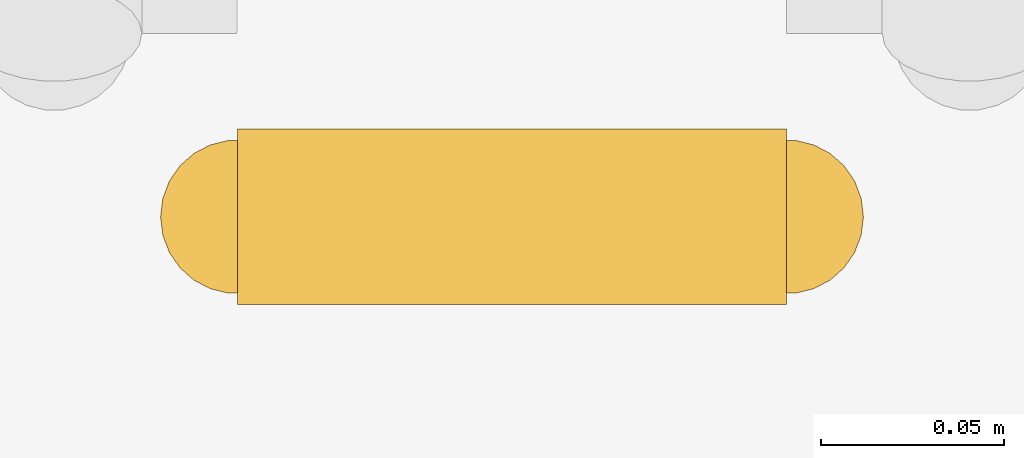
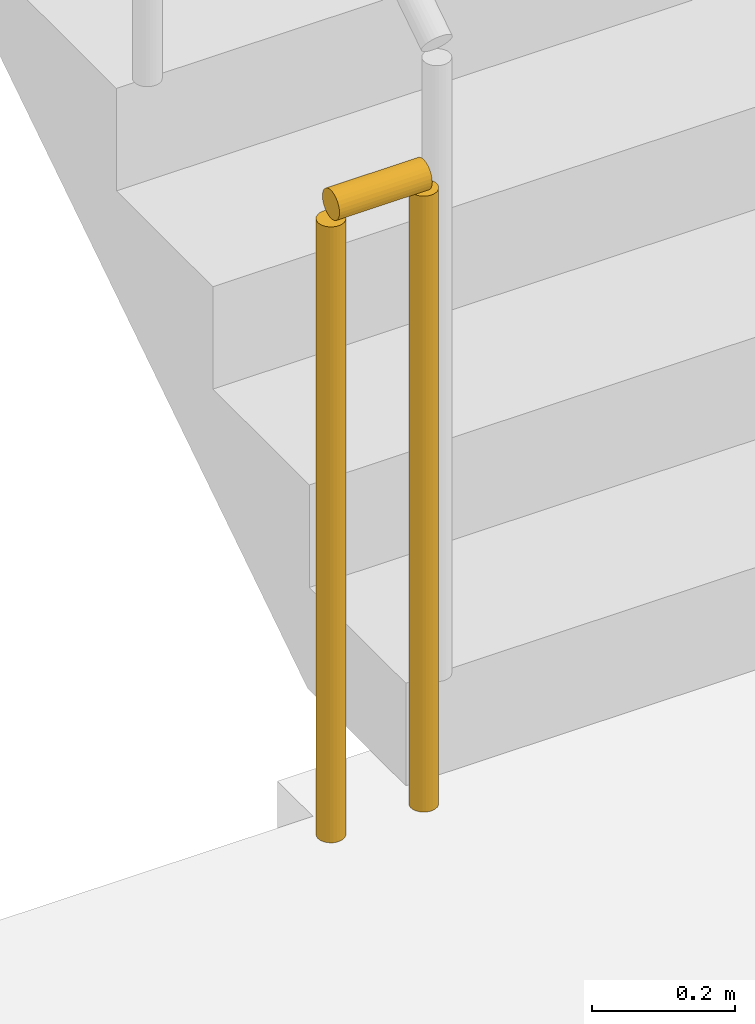
# One storey, part 15 of 20: 1 railing.
"""IFC4 building model written with IfcOpenShell, lengths in metres."""

from ifc_helpers import new_model, si_unit, direction, frame, origin, origin_2d, place, context, subcontext, project, spatial, circle, extrude, material, type_object, element, save


model = new_model("IFC4")

# Units and contexts
model_context = context("Model", 3, precision=1e-05, world=origin(), true_north=direction((0.0, 1.0)))
body_context = subcontext(model_context, "Body", "Model", "MODEL_VIEW")
ifc_project = project(units=[si_unit("LENGTHUNIT", "METRE"), si_unit("AREAUNIT", "SQUARE_METRE"), si_unit("VOLUMEUNIT", "CUBIC_METRE"), si_unit("PLANEANGLEUNIT", "RADIAN"), si_unit("MASSUNIT", "GRAM", prefix="KILO")], contexts=[model_context])

# Site, building, storey
site_placement = place(None, origin())
site = spatial("IfcSite", under=ifc_project, at=site_placement, CompositionType="ELEMENT")
building_placement = place(site_placement, origin())
building = spatial("IfcBuilding", under=site, at=building_placement, Name="Saffron Iwan Residences", CompositionType="ELEMENT")
storey_placement = place(building_placement, frame((0.0, 0.0, 185.0)))
storey = spatial("IfcBuildingStorey", under=building, at=storey_placement, Name="L49", CompositionType="ELEMENT", Elevation=185.0)

# Railing
ifc_material = material(Name="Steel S355", Category="steel")
railing_type = type_object("IfcRailingType", Name="Stair guard 1100", PredefinedType="GUARDRAIL", material=ifc_material)
railing_placement = place(storey_placement, frame((31.25, 67.800048828125, 0.0)))
element("IfcRailing", 1, at=railing_placement, inside=storey, type_object=railing_type, Name="L49 ST-W stair guard 2", PredefinedType="GUARDRAIL", context=body_context, shape_type="SweptSolid", body=[
    extrude(circle(Radius=0.02392578125, at=origin_2d()), frame((0.0, 0.0, 1.076171875), z_axis=(-1.0, 0.0, 0.0), x_axis=(0.0, -1.0, 0.0)), (0.0, 0.0, 1.0), 0.14990234375),
    extrude(circle(Radius=0.02099609375, at=origin_2d()), origin(), (0.0, 0.0, 1.0), 1.052001953125),
    extrude(circle(Radius=0.02099609375, at=origin_2d()), frame((-0.14990234375, 0.0, 0.0)), (0.0, 0.0, 1.0), 1.052001953125),
])

save(model, "model.ifc")
